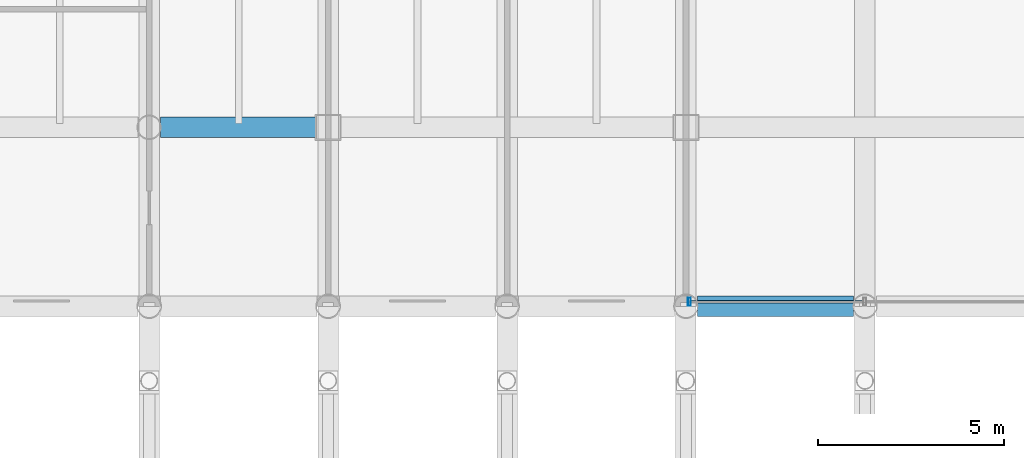
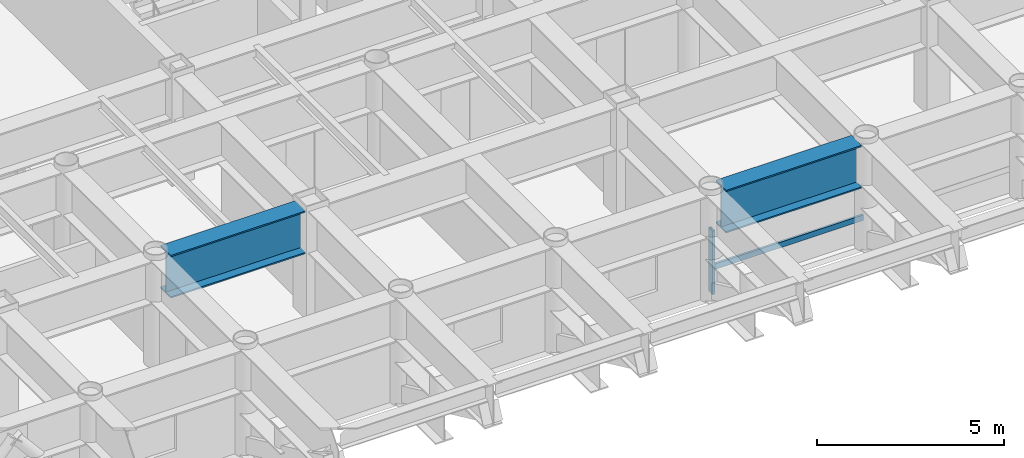
# One storey, part 4 of 24: 2 beams, 2 members, 1 element without a shape of its own.
"""IFC4 building model written with IfcOpenShell, lengths in metres."""

import ifcopenshell
import ifcopenshell.guid

model = None  # the IFC model being written
_history = None  # IfcOwnerHistory: only IFC2X3 demands one
_inside = {}  # id of a spatial element -> (the spatial element, [elements in it])
_under = {}  # id of a project, library or spatial element -> (it, [spatial elements below it])
_declared = {}  # id of a project -> (the project, [libraries it declares])
_typed = {}  # id of a type object -> (the type object, [elements of that type])
_made_of = {}  # id of a material, layer set ... -> (it, [elements and type objects made of it])


def new_model(schema):
    """Start an empty IFC model of exactly this schema.

    Asked for "IFC4X3", IfcOpenShell would pick the latest addendum, in which some entities
    have other attributes; the version numbers below select the first issue.
    IFC2X3 requires an IfcOwnerHistory on every rooted entity: one is made here for all.
    """
    global model, _history
    if schema == "IFC4X3":
        model = ifcopenshell.file(schema_version=(4, 3, 0, 0))
    else:
        model = ifcopenshell.file(schema=schema)
    _inside.clear()
    _under.clear()
    _declared.clear()
    _typed.clear()
    _made_of.clear()
    _history = None
    if model.schema == "IFC2X3":
        org = make("IfcOrganization", Name="unknown")
        user = make(
            "IfcPersonAndOrganization",
            ThePerson=make("IfcPerson", FamilyName="unknown"),
            TheOrganization=org,
        )
        app = make(
            "IfcApplication",
            ApplicationDeveloper=org,
            Version="unknown",
            ApplicationFullName="unknown",
            ApplicationIdentifier="unknown",
        )
        _history = make(
            "IfcOwnerHistory",
            OwningUser=user,
            OwningApplication=app,
            ChangeAction="ADDED",
            CreationDate=0,
        )
    return model


def make(cls, **values):
    """One entity of the class cls with the attributes given. An attribute that is None is left unset."""
    return model.create_entity(
        cls, **{name: value for name, value in values.items() if value is not None}
    )


def rooted(cls, **values):
    """An entity with a GlobalId (a new one), such as an element, a storey or a relation."""
    return make(cls, GlobalId=ifcopenshell.guid.new(), OwnerHistory=_history, **values)


def si_unit(unit_type, name, prefix=None):
    """IfcSIUnit, for example si_unit("LENGTHUNIT", "METRE", prefix="MILLI")."""
    return make("IfcSIUnit", UnitType=unit_type, Prefix=prefix, Name=name)


def assignment(units):
    """IfcUnitAssignment: the units of a project."""
    return None if units is None else make("IfcUnitAssignment", Units=units)


def point(xyz):
    """IfcCartesianPoint."""
    return None if xyz is None else make("IfcCartesianPoint", Coordinates=xyz)


def direction(xyz):
    """IfcDirection."""
    return None if xyz is None else make("IfcDirection", DirectionRatios=xyz)


def frame(location, z_axis=None, x_axis=None):
    """IfcAxis2Placement3D, a coordinate frame: its origin and axes. An axis left out is left unset."""
    return make(
        "IfcAxis2Placement3D",
        Location=point(location),
        Axis=direction(z_axis),
        RefDirection=direction(x_axis),
    )


def frame_2d(location, x_axis=None):
    """IfcAxis2Placement2D, a coordinate frame in the plane: its origin and x axis."""
    return make(
        "IfcAxis2Placement2D", Location=point(location), RefDirection=direction(x_axis)
    )


def origin():
    """The frame at (0, 0, 0) with its axes left unset."""
    return frame((0.0, 0.0, 0.0))


def origin_2d():
    """The frame at (0, 0) in the plane with its x axis left unset."""
    return frame_2d((0.0, 0.0))


def place(relative_to, where):
    """IfcLocalPlacement: puts the frame where relative to a parent placement (None: the world)."""
    return make(
        "IfcLocalPlacement", PlacementRelTo=relative_to, RelativePlacement=where
    )


def context(
    kind, dimensions, precision=None, world=None, true_north=None, identifier=None
):
    """IfcGeometricRepresentationContext, for example the 3D "Model" context."""
    return make(
        "IfcGeometricRepresentationContext",
        ContextIdentifier=identifier,
        ContextType=kind,
        CoordinateSpaceDimension=dimensions,
        Precision=precision,
        WorldCoordinateSystem=world,
        TrueNorth=true_north,
    )


def subcontext(parent, identifier, kind, view, scale=None):
    """IfcGeometricRepresentationSubContext, for example "Body" below "Model"."""
    return make(
        "IfcGeometricRepresentationSubContext",
        ContextIdentifier=identifier,
        ContextType=kind,
        ParentContext=parent,
        TargetScale=scale,
        TargetView=view,
    )


def project(units=None, contexts=None):
    """IfcProject with its units and contexts."""
    return rooted(
        "IfcProject",
        Name="project",
        RepresentationContexts=contexts,
        UnitsInContext=assignment(units),
    )


def spatial(cls, under=None, at=None, **own):
    """A site, building, storey or space (cls), placed at a placement, below another one or the project."""
    s = rooted(cls, ObjectPlacement=at, **own)
    if under is not None:
        _under.setdefault(under.id(), (under, []))[1].append(s)
    return s


def profile(cls, at=None, kind="AREA", **sizes):
    """A parametric profile (cls). Its sizes go by their IFC names, for example OverallWidth=200.0."""
    return make(cls, ProfileType=kind, Position=at, **sizes)


def hollow_rectangle(**sizes):
    """IfcRectangleHollowProfileDef."""
    return profile("IfcRectangleHollowProfileDef", **sizes)


def i_section(**sizes):
    """IfcIShapeProfileDef."""
    return profile("IfcIShapeProfileDef", **sizes)


def extrude(swept, where, along, depth):
    """IfcExtrudedAreaSolid: the profile swept, set in the frame where, extruded along a direction by depth."""
    return make(
        "IfcExtrudedAreaSolid",
        SweptArea=swept,
        Position=where,
        ExtrudedDirection=direction(along),
        Depth=depth,
    )


def shape(context_of_items, identifier, shape_type, items):
    """IfcShapeRepresentation: the items that make up one representation, for example the "Body"."""
    return make(
        "IfcShapeRepresentation",
        ContextOfItems=context_of_items,
        RepresentationIdentifier=identifier,
        RepresentationType=shape_type,
        Items=items,
    )


def material(Name=None, Category=None):
    """IfcMaterial."""
    return make("IfcMaterial", Name=Name, Category=Category)


def layer(
    of_material, thickness, ventilated=None, Name=None, Category=None, Priority=None
):
    """IfcMaterialLayer: one layer of a wall or slab, of a material (None: an air gap)."""
    return make(
        "IfcMaterialLayer",
        Material=of_material,
        LayerThickness=thickness,
        IsVentilated=ventilated,
        Name=Name,
        Category=Category,
        Priority=Priority,
    )


def layer_set(layers, Name=None):
    """IfcMaterialLayerSet."""
    return make("IfcMaterialLayerSet", MaterialLayers=layers, LayerSetName=Name)


def material_profile(
    of_material, cross_section, Name=None, Category=None, Priority=None
):
    """IfcMaterialProfile: a cross section and its material."""
    return make(
        "IfcMaterialProfile",
        Name=Name,
        Material=of_material,
        Profile=cross_section,
        Priority=Priority,
        Category=Category,
    )


def profile_set(profiles, Name=None, composite=None):
    """IfcMaterialProfileSet."""
    return make(
        "IfcMaterialProfileSet",
        Name=Name,
        MaterialProfiles=profiles,
        CompositeProfile=composite,
    )


def made_of(thing, what):
    """Note that an element or type object is made of a material, layer set ...; save() writes the relation."""
    if what is not None:
        _made_of.setdefault(what.id(), (what, []))[1].append(thing)
    return thing


def type_object(cls, material=None, **own):
    """A type object (cls), such as IfcWallType, which elements share."""
    return made_of(rooted(cls, **own), material)


def element(
    cls,
    number,
    at=None,
    inside=None,
    cuts=None,
    type_object=None,
    material=None,
    context=None,
    identifier="Body",
    shape_type=None,
    held_by="IfcProductDefinitionShape",
    body=None,
    shapes=None,
    **own,
):
    """One element of the class cls, such as IfcWall. Its Tag is "e" and its number.

    at: its placement. inside: the storey or other place that contains it. cuts: it is an
    opening in that element (IfcRelVoidsElement). A single representation is given by context,
    identifier, shape_type and body (its items); several are given by shapes. held_by: the class
    of the entity that holds the representations. save() writes the other relations.
    """
    e = rooted(cls, Tag="e%d" % number, ObjectPlacement=at, **own)
    if body is not None:
        shapes = [shape(context, identifier, shape_type, body)]
    if shapes is not None:
        e.Representation = make(held_by, Representations=shapes)
    if inside is not None:
        _inside.setdefault(inside.id(), (inside, []))[1].append(e)
    if cuts is not None:
        rooted(
            "IfcRelVoidsElement", RelatingBuildingElement=cuts, RelatedOpeningElement=e
        )
    if type_object is not None:
        _typed.setdefault(type_object.id(), (type_object, []))[1].append(e)
    return made_of(e, material)


def aggregate(whole, parts):
    """IfcRelAggregates: a whole, such as a stair, and the parts it consists of."""
    return rooted("IfcRelAggregates", RelatingObject=whole, RelatedObjects=parts)


def save(model, path):
    """Write the relations noted so far, then the file.

    IfcRelAggregates (storeys below a building ...), IfcRelContainedInSpatialStructure (elements
    in a storey), IfcRelDefinesByType, IfcRelAssociatesMaterial and IfcRelDeclares: one each for
    every whole, place, type object, material and project.
    """
    for whole, parts in _under.values():
        aggregate(whole, parts)
    for where, things in _inside.values():
        rooted(
            "IfcRelContainedInSpatialStructure",
            RelatedElements=things,
            RelatingStructure=where,
        )
    for kind, things in _typed.values():
        rooted("IfcRelDefinesByType", RelatedObjects=things, RelatingType=kind)
    for what, things in _made_of.values():
        rooted("IfcRelAssociatesMaterial", RelatedObjects=things, RelatingMaterial=what)
    for by, libraries in _declared.values():
        rooted("IfcRelDeclares", RelatingContext=by, RelatedDefinitions=libraries)
    model.write(path)


model = new_model("IFC4")

# Units and contexts
model_context = context("Model", 3, precision=1e-05, world=origin(), true_north=direction((0.0, 1.0)))
body_context = subcontext(model_context, "Body", "Model", "MODEL_VIEW")
ifc_project = project(units=[si_unit("LENGTHUNIT", "METRE"), si_unit("AREAUNIT", "SQUARE_METRE"), si_unit("VOLUMEUNIT", "CUBIC_METRE"), si_unit("PLANEANGLEUNIT", "RADIAN"), si_unit("MASSUNIT", "GRAM", prefix="KILO")], contexts=[model_context])

# Site, building, storey
site_placement = place(None, origin())
site = spatial("IfcSite", under=ifc_project, at=site_placement, CompositionType="ELEMENT")
building_placement = place(site_placement, origin())
building = spatial("IfcBuilding", under=site, at=building_placement, Name="Kallvorn Hotel Tower", CompositionType="ELEMENT")
storey_placement = place(building_placement, frame((0.0, 0.0, 150.699951171875)))
storey = spatial("IfcBuildingStorey", under=building, at=storey_placement, Name="L37", CompositionType="ELEMENT", Elevation=150.699951171875)

# Beams
ifc_material_1 = material(Name="Structural steel S355JR", Category="steel")
ifc_material_profile_1 = material_profile(ifc_material_1, i_section(OverallWidth=0.550048828125, OverallDepth=1.39990234375, WebThickness=0.02490234375, FlangeThickness=0.044921875, at=origin_2d()), Name="PG 1400x550x25x45")
ifc_profile_set_1 = profile_set([ifc_material_profile_1], Name="Structural steel S355JR")
beam_type = type_object("IfcBeamType", Name="BM_PG_1400", PredefinedType="BEAM", material=ifc_profile_set_1)
beam_1_placement = place(storey_placement, frame((-4.4951171875, -19.199951171875, 2.820068359375), z_axis=(1.0, 0.0, 0.0), x_axis=(0.0, 1.0, 0.0)))
element("IfcBeam", 1, at=beam_1_placement, inside=storey, type_object=beam_type, Name="L38 Primary X-Girder 19", PredefinedType="BEAM", context=body_context, shape_type="SweptSolid", body=[
    extrude(i_section(OverallWidth=0.550048828125, OverallDepth=1.39990234375, WebThickness=0.02490234375, FlangeThickness=0.044921875, at=origin_2d()), origin(), (0.0, 0.0, 1.0), 4.190185546875),
])
beam_2_placement = place(storey_placement, frame((-18.89501953125, -14.39990234375, 2.820068359375), z_axis=(1.0, 0.0, 0.0), x_axis=(0.0, 1.0, 0.0)))
element("IfcBeam", 2, at=beam_2_placement, inside=storey, type_object=beam_type, Name="L38 Primary X-Girder 29", PredefinedType="BEAM", context=body_context, shape_type="SweptSolid", body=[
    extrude(i_section(OverallWidth=0.550048828125, OverallDepth=1.39990234375, WebThickness=0.02490234375, FlangeThickness=0.044921875, at=origin_2d()), origin(), (0.0, 0.0, 1.0), 4.169921875),
])

# Curtain wall, members
ifc_material_2 = material(Name="Thermally broken black-anodised aluminium AA 6063-T6", Category="aluminium")
ifc_layer = layer(ifc_material_2, 0.2099609375)
ifc_layer_set = layer_set([ifc_layer], Name="CW_SYS_4_HOTEL_MID")
curtain_wall_type = type_object("IfcCurtainWallType", Name="CW_SYS_4_HOTEL_MID", PredefinedType="USERDEFINED", material=ifc_layer_set)
curtain_wall_placement = place(storey_placement, origin())
curtain_wall = element("IfcCurtainWall", 3, at=curtain_wall_placement, inside=storey, type_object=curtain_wall_type, Name="L37 Dark-Glass Curtain Wall CW-L37-SC", ObjectType="UNITISED CURTAIN WALL", PredefinedType="USERDEFINED")
ifc_material_3 = material(Name="Thermally broken black-anodised aluminium AA 6063-T6", Category="aluminium")
ifc_material_profile_2 = material_profile(ifc_material_3, hollow_rectangle(XDim=0.080078125, YDim=0.219970703125, WallThickness=0.0048828125, at=origin_2d()), Name="MUL 220x80")
ifc_profile_set_2 = profile_set([ifc_material_profile_2], Name="Thermally broken black-anodised aluminium AA 6063-T6")
member_type_1 = type_object("IfcMemberType", Name="CW_MULLION_220x80", PredefinedType="MULLION", material=ifc_profile_set_2)
member_1_placement = place(storey_placement, frame((-4.7099609375, -19.080078125, 0.02001953125), z_axis=(0.0, 0.0, 1.0), x_axis=(1.0, 0.0, 0.0)))
member_1 = element("IfcMember", 4, at=member_1_placement, type_object=member_type_1, Name="CW-L37-SC Mullion 00", PredefinedType="MULLION", context=body_context, shape_type="SweptSolid", body=[
    extrude(hollow_rectangle(XDim=0.080078125, YDim=0.219970703125, WallThickness=0.0048828125, at=origin_2d()), origin(), (0.0, 0.0, 1.0), 2.080078125),
])
ifc_material_4 = material(Name="Thermally broken black-anodised aluminium AA 6063-T6", Category="aluminium")
ifc_material_profile_3 = material_profile(ifc_material_4, hollow_rectangle(XDim=0.070068359375, YDim=0.179931640625, WallThickness=0.00390625, at=origin_2d()), Name="TRN 180x70")
ifc_profile_set_3 = profile_set([ifc_material_profile_3], Name="Thermally broken black-anodised aluminium AA 6063-T6")
member_type_2 = type_object("IfcMemberType", Name="CW_TRANSOM_180x70", PredefinedType="USERDEFINED", material=ifc_profile_set_3)
member_2_placement = place(storey_placement, frame((-4.7099609375, -19.080078125, 0.85009765625), z_axis=(1.0, 0.0, 0.0), x_axis=(0.0, 1.0, 0.0)))
member_2 = element("IfcMember", 5, at=member_2_placement, type_object=member_type_2, Name="CW-L37-SC Transom 00M", ObjectType="TRANSOM", PredefinedType="USERDEFINED", context=body_context, shape_type="SweptSolid", body=[
    extrude(hollow_rectangle(XDim=0.070068359375, YDim=0.179931640625, WallThickness=0.00390625, at=origin_2d()), origin(), (0.0, 0.0, 1.0), 4.669921875),
])
aggregate(curtain_wall, [member_1, member_2])

save(model, "model.ifc")
